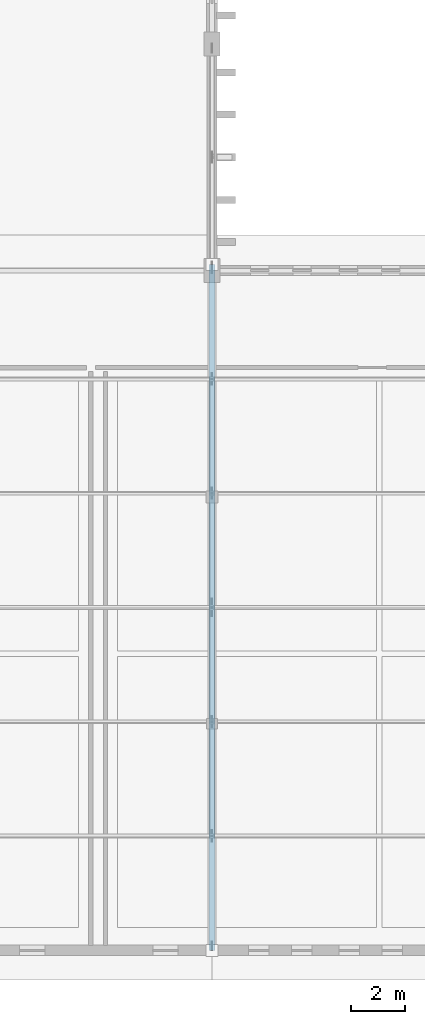
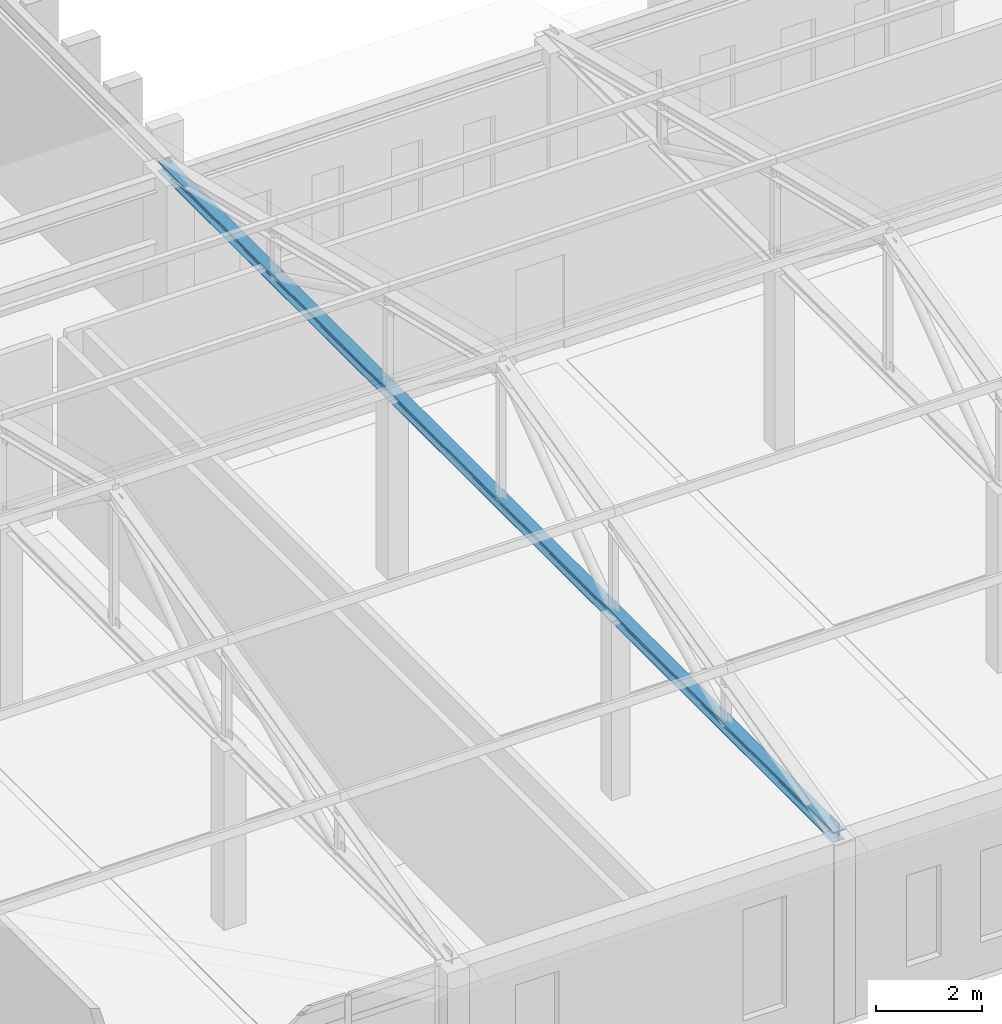
# One storey, part 28 of 192: 1 member.
"""IFC4 building model written with IfcOpenShell, lengths in metres."""

from ifc_helpers import new_model, si_unit, direction, frame, origin, origin_2d, place, context, subcontext, project, spatial, i_section, extrude, material, material_profile, profile_set, type_object, element, save


model = new_model("IFC4")

# Units and contexts
model_context = context("Model", 3, precision=1e-05, world=origin(), true_north=direction((0.0, 1.0)))
body_context = subcontext(model_context, "Body", "Model", "MODEL_VIEW")
ifc_project = project(units=[si_unit("LENGTHUNIT", "METRE"), si_unit("AREAUNIT", "SQUARE_METRE"), si_unit("VOLUMEUNIT", "CUBIC_METRE"), si_unit("PLANEANGLEUNIT", "RADIAN"), si_unit("MASSUNIT", "GRAM", prefix="KILO")], contexts=[model_context])

# Site, building, storey
site_placement = place(None, origin())
site = spatial("IfcSite", under=ifc_project, at=site_placement, CompositionType="ELEMENT")
building_placement = place(site_placement, origin())
building = spatial("IfcBuilding", under=site, at=building_placement, Name="Kveldsbrygga Polytechnic", CompositionType="ELEMENT")
storey_placement = place(building_placement, frame((0.0, 0.0, 5.43994140625)))
storey = spatial("IfcBuildingStorey", under=building, at=storey_placement, Name="L01", CompositionType="ELEMENT", Elevation=5.43994140625)

# Member
ifc_material = material(Name="Steel S355", Category="steel")
ifc_material_profile = material_profile(ifc_material, i_section(OverallWidth=0.239990234375, OverallDepth=0.239990234375, WebThickness=0.010009765625, FlangeThickness=0.01708984375, FilletRadius=0.02099609375, at=origin_2d()), Name="HEB 240")
ifc_profile_set = profile_set([ifc_material_profile], Name="Steel S355")
member_type = type_object("IfcMemberType", Name="TR-BOT-HEB240", PredefinedType="CHORD", material=ifc_profile_set)
member_placement = place(storey_placement, frame((33.60009765625, 0.0, 4.1201171875), z_axis=(0.0, 1.0, 0.0), x_axis=(-1.0, 0.0, 0.0)))
element("IfcMember", 1, at=member_placement, inside=storey, type_object=member_type, Name="Truss Bottom Chord V5S-T05-BC-1", PredefinedType="CHORD", context=body_context, shape_type="SweptSolid", body=[
    extrude(i_section(OverallWidth=0.239990234375, OverallDepth=0.239990234375, WebThickness=0.010009765625, FlangeThickness=0.01708984375, FilletRadius=0.02099609375, at=origin_2d()), origin(), (0.0, 0.0, 1.0), 25.419921875),
])

save(model, "model.ifc")
